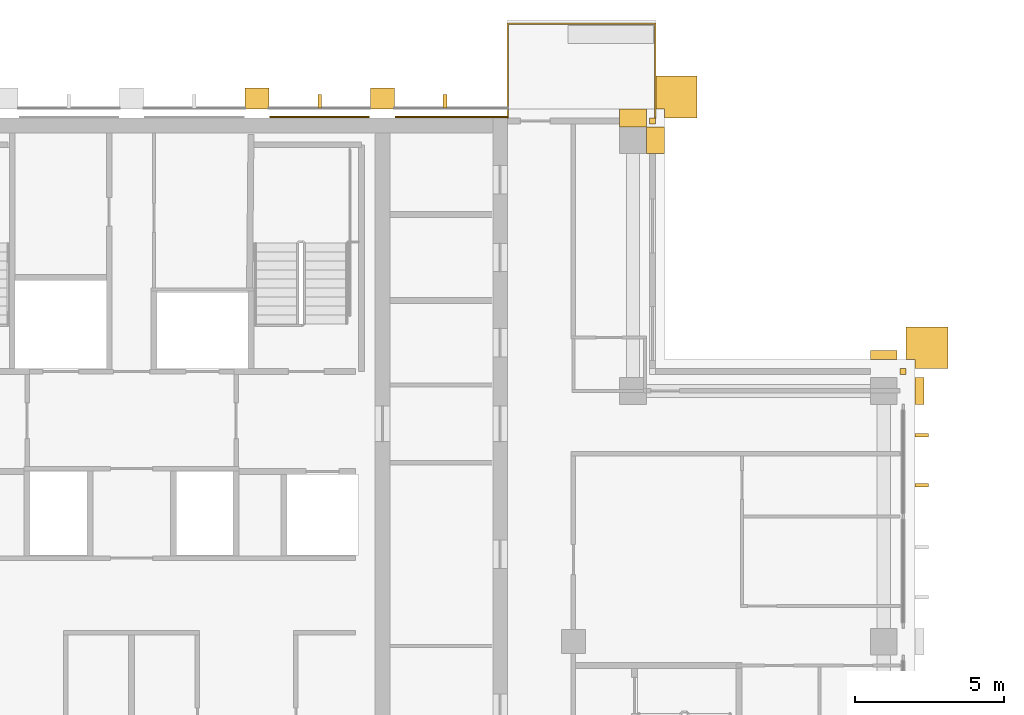
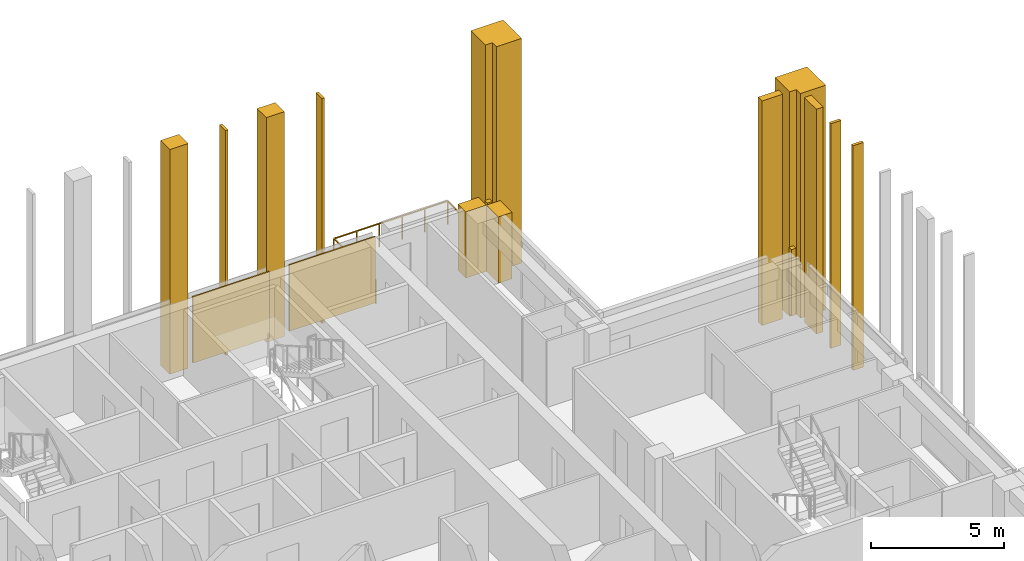
# One storey, part 20 of 20: 16 coverings, 1 railing.
"""IFC4 building model written with IfcOpenShell, lengths in metres."""

from ifc_helpers import new_model, si_unit, direction, frame, origin, origin_2d, place, context, subcontext, project, spatial, polyline, rectangle, outline, extrude, material, layer, layer_set, type_object, element, save


model = new_model("IFC4")

# Units and contexts
model_context = context("Model", 3, precision=1e-05, world=origin(), true_north=direction((0.0, 1.0)))
body_context = subcontext(model_context, "Body", "Model", "MODEL_VIEW")
ifc_project = project(units=[si_unit("LENGTHUNIT", "METRE"), si_unit("AREAUNIT", "SQUARE_METRE"), si_unit("VOLUMEUNIT", "CUBIC_METRE"), si_unit("PLANEANGLEUNIT", "RADIAN"), si_unit("MASSUNIT", "GRAM", prefix="KILO")], contexts=[model_context])

# Site, building, storey
site_placement = place(None, origin())
site = spatial("IfcSite", under=ifc_project, at=site_placement, CompositionType="ELEMENT")
building_placement = place(site_placement, origin())
building = spatial("IfcBuilding", under=site, at=building_placement, Name="Vermilion Ogive Tower", CompositionType="ELEMENT")
storey_placement = place(building_placement, frame((0.0, 0.0, 223.449951171875)))
storey = spatial("IfcBuildingStorey", under=building, at=storey_placement, Name="L58", CompositionType="ELEMENT", Elevation=223.449951171875)

# Railing
ifc_material_1 = material(Name="Stainless steel and glass", Category="steel")
railing_type = type_object("IfcRailingType", Name="Balcony guard", PredefinedType="GUARDRAIL", material=ifc_material_1)
railing_placement = place(storey_placement, frame((17.550048828125, 21.75, -0.0400390625)))
element("IfcRailing", 1, at=railing_placement, inside=storey, type_object=railing_type, Name="Guard N101", PredefinedType="GUARDRAIL", context=body_context, shape_type="SweptSolid", body=[
    extrude(rectangle(XDim=0.048095703125, YDim=0.048095703125, at=origin_2d()), frame((0.0, 0.0, 1.076171875), z_axis=(0.0, 1.0, 0.0), x_axis=(-1.0, 0.0, 0.0)), (0.0, 0.0, 1.0), 3.159912109375),
    extrude(rectangle(XDim=0.048095703125, YDim=0.048095703125, at=origin_2d()), frame((0.0, 3.159912109375, 1.076171875), z_axis=(-1.0, 0.0, 0.0), x_axis=(0.0, -1.0, 0.0)), (0.0, 0.0, 1.0), 4.949951171875),
    extrude(rectangle(XDim=0.048095703125, YDim=0.048095703125, at=origin_2d()), frame((-4.949951171875, 3.159912109375, 1.076171875), z_axis=(0.0, -1.0, 0.0), x_axis=(1.0, 0.0, 0.0)), (0.0, 0.0, 1.0), 3.159912109375),
    extrude(rectangle(XDim=0.0419921875, YDim=0.0419921875, at=origin_2d()), origin(), (0.0, 0.0, 1.0), 1.052001953125),
    extrude(rectangle(XDim=0.0419921875, YDim=0.0419921875, at=origin_2d()), frame((0.0, 1.05322265625, 0.0)), (0.0, 0.0, 1.0), 1.052001953125),
    extrude(rectangle(XDim=0.0419921875, YDim=0.0419921875, at=origin_2d()), frame((0.0, 2.106689453125, 0.0)), (0.0, 0.0, 1.0), 1.052001953125),
    extrude(rectangle(XDim=0.0419921875, YDim=0.0419921875, at=origin_2d()), frame((0.0, 3.159912109375, 0.0)), (0.0, 0.0, 1.0), 1.052001953125),
    extrude(rectangle(XDim=0.0419921875, YDim=0.0419921875, at=origin_2d()), frame((-0.989990234375, 3.159912109375, 0.0)), (0.0, 0.0, 1.0), 1.052001953125),
    extrude(rectangle(XDim=0.0419921875, YDim=0.0419921875, at=origin_2d()), frame((-1.97998046875, 3.159912109375, 0.0)), (0.0, 0.0, 1.0), 1.052001953125),
    extrude(rectangle(XDim=0.0419921875, YDim=0.0419921875, at=origin_2d()), frame((-2.969970703125, 3.159912109375, 0.0)), (0.0, 0.0, 1.0), 1.052001953125),
    extrude(rectangle(XDim=0.0419921875, YDim=0.0419921875, at=origin_2d()), frame((-3.9599609375, 3.159912109375, 0.0)), (0.0, 0.0, 1.0), 1.052001953125),
    extrude(rectangle(XDim=0.0419921875, YDim=0.0419921875, at=origin_2d()), frame((-4.949951171875, 3.159912109375, 0.0)), (0.0, 0.0, 1.0), 1.052001953125),
    extrude(rectangle(XDim=0.0419921875, YDim=0.0419921875, at=origin_2d()), frame((-4.949951171875, 2.106689453125, 0.0)), (0.0, 0.0, 1.0), 1.052001953125),
    extrude(rectangle(XDim=0.0419921875, YDim=0.0419921875, at=origin_2d()), frame((-4.949951171875, 1.05322265625, 0.0)), (0.0, 0.0, 1.0), 1.052001953125),
    extrude(rectangle(XDim=0.0419921875, YDim=0.0419921875, at=origin_2d()), frame((-4.949951171875, 0.0, 0.0)), (0.0, 0.0, 1.0), 1.052001953125),
])

# Coverings
ifc_material_2 = material(Name="Glazed ceramic screen")
ifc_layer = layer(ifc_material_2, 0.14990234375)
ifc_layer_set = layer_set([ifc_layer], Name="Ceramic solar screen fin")
covering_type_1 = type_object("IfcCoveringType", Name="Ceramic solar screen fin", PredefinedType="CLADDING", material=ifc_layer_set)
covering_1_placement = place(storey_placement, frame((0.0, 0.0, -0.39990234375)))
element("IfcCovering", 2, at=covering_1_placement, inside=storey, type_object=covering_type_1, Name="Solar screen blade E021", PredefinedType="CLADDING", context=body_context, shape_type="SweptSolid", body=[
    extrude(outline(polyline([(26.699951171875, 9.37744140625), (26.699951171875, 9.49755859375), (26.25, 9.49755859375), (26.25, 9.37744140625), (26.699951171875, 9.37744140625)])), origin(), (0.0, 0.0, 1.0), 10.349853515625),
])
covering_2_placement = place(storey_placement, frame((0.0, 0.0, -0.39990234375)))
element("IfcCovering", 3, at=covering_2_placement, inside=storey, type_object=covering_type_1, Name="Solar screen blade E022", PredefinedType="CLADDING", context=body_context, shape_type="SweptSolid", body=[
    extrude(outline(polyline([(26.699951171875, 11.052490234375), (26.699951171875, 11.172607421875), (26.25, 11.172607421875), (26.25, 11.052490234375), (26.699951171875, 11.052490234375)])), origin(), (0.0, 0.0, 1.0), 10.349853515625),
])
covering_3_placement = place(storey_placement, frame((0.0, 0.0, -0.39990234375)))
element("IfcCovering", 4, at=covering_3_placement, inside=storey, type_object=covering_type_1, Name="Solar screen blade N5", PredefinedType="CLADDING", context=body_context, shape_type="SweptSolid", body=[
    extrude(outline(polyline([(6.239990234375, 22.08203125), (6.360107421875, 22.08203125), (6.360107421875, 22.531982421875), (6.239990234375, 22.531982421875), (6.239990234375, 22.08203125)])), origin(), (0.0, 0.0, 1.0), 10.349853515625),
])
covering_4_placement = place(storey_placement, frame((0.0, 0.0, -0.39990234375)))
element("IfcCovering", 5, at=covering_4_placement, inside=storey, type_object=covering_type_1, Name="Solar screen blade N6", PredefinedType="CLADDING", context=body_context, shape_type="SweptSolid", body=[
    extrude(outline(polyline([(10.43994140625, 22.08203125), (10.56005859375, 22.08203125), (10.56005859375, 22.531982421875), (10.43994140625, 22.531982421875), (10.43994140625, 22.08203125)])), origin(), (0.0, 0.0, 1.0), 10.349853515625),
])
ifc_material_3 = material(Name="Stone cladding", Category="masonry")
covering_type_2 = type_object("IfcCoveringType", Name="Stone buttress pier", PredefinedType="CLADDING", material=ifc_material_3)
covering_5_placement = place(storey_placement, frame((0.0, 0.0, -0.39990234375)))
element("IfcCovering", 6, at=covering_5_placement, inside=storey, type_object=covering_type_2, Name="Stone buttress pier N4", PredefinedType="CLADDING", context=body_context, shape_type="SweptSolid", body=[
    extrude(outline(polyline([(4.60009765625, 22.75), (4.60009765625, 22.050048828125), (3.800048828125, 22.050048828125), (3.800048828125, 22.75), (4.60009765625, 22.75)])), origin(), (0.0, 0.0, 1.0), 10.349853515625),
])
covering_6_placement = place(storey_placement, frame((0.0, 0.0, -0.39990234375)))
element("IfcCovering", 7, at=covering_6_placement, inside=storey, type_object=covering_type_2, Name="Stone buttress pier N5", PredefinedType="CLADDING", context=body_context, shape_type="SweptSolid", body=[
    extrude(outline(polyline([(8.800048828125, 22.75), (8.800048828125, 22.050048828125), (8.0, 22.050048828125), (8.0, 22.75), (8.800048828125, 22.75)])), origin(), (0.0, 0.0, 1.0), 10.349853515625),
])
ifc_material_4 = material(Name="Stone cladding", Category="masonry")
covering_type_3 = type_object("IfcCoveringType", Name="Stone cladding panel", PredefinedType="CLADDING", material=ifc_material_4)
covering_7_placement = place(storey_placement, origin())
element("IfcCovering", 8, at=covering_7_placement, inside=storey, type_object=covering_type_3, Name="Stone cladding panel N5", PredefinedType="CLADDING", context=body_context, shape_type="SweptSolid", body=[
    extrude(outline(polyline([(4.6298828125, 21.75), (7.969970703125, 21.75), (7.969970703125, 21.81005859375), (4.6298828125, 21.81005859375), (4.6298828125, 21.75)])), origin(), (0.0, 0.0, 1.0), 3.050048828125),
])
covering_8_placement = place(storey_placement, origin())
element("IfcCovering", 9, at=covering_8_placement, inside=storey, type_object=covering_type_3, Name="Stone cladding panel N6", PredefinedType="CLADDING", context=body_context, shape_type="SweptSolid", body=[
    extrude(outline(polyline([(8.830078125, 21.75), (12.590087890625, 21.75), (12.590087890625, 21.81005859375), (8.830078125, 21.81005859375), (8.830078125, 21.75)])), origin(), (0.0, 0.0, 1.0), 3.050048828125),
])
ifc_material_5 = material(Name="Stone cladding", Category="masonry")
covering_type_4 = type_object("IfcCoveringType", Name="Stone corner buttress", PredefinedType="CLADDING", material=ifc_material_5)
covering_9_placement = place(storey_placement, frame((0.0, 0.0, -0.39990234375)))
element("IfcCovering", 10, at=covering_9_placement, inside=storey, type_object=covering_type_4, Name="Stone corner buttress X31", PredefinedType="CLADDING", context=body_context, shape_type="SweptSolid", body=[
    extrude(outline(polyline([(26.25, 13.35009765625), (26.25, 13.64990234375), (25.949951171875, 13.64990234375), (25.949951171875, 14.75), (27.35009765625, 14.75), (27.35009765625, 13.35009765625), (26.25, 13.35009765625)])), origin(), (0.0, 0.0, 1.0), 10.349853515625),
])
covering_10_placement = place(storey_placement, frame((0.0, 0.0, -0.39990234375)))
element("IfcCovering", 11, at=covering_10_placement, inside=storey, type_object=covering_type_4, Name="Stone corner buttress N11", PredefinedType="CLADDING", context=body_context, shape_type="SweptSolid", body=[
    extrude(outline(polyline([(17.85009765625, 22.050048828125), (17.550048828125, 22.050048828125), (17.550048828125, 23.14990234375), (18.949951171875, 23.14990234375), (18.949951171875, 21.75), (17.85009765625, 21.75), (17.85009765625, 22.050048828125)])), origin(), (0.0, 0.0, 1.0), 10.349853515625),
])
ifc_material_6 = material(Name="Stone cladding", Category="masonry")
covering_type_5 = type_object("IfcCoveringType", Name="Stone pier", PredefinedType="CLADDING", material=ifc_material_6)
covering_11_placement = place(storey_placement, origin())
element("IfcCovering", 12, at=covering_11_placement, inside=storey, type_object=covering_type_5, Name="Stone corner pier EE1", PredefinedType="CLADDING", context=body_context, shape_type="SweptSolid", body=[
    extrude(outline(polyline([(25.75, 13.14990234375), (25.75, 13.35009765625), (25.949951171875, 13.35009765625), (25.949951171875, 13.14990234375), (25.75, 13.14990234375)])), origin(), (0.0, 0.0, 1.0), 3.050048828125),
])
covering_12_placement = place(storey_placement, origin())
element("IfcCovering", 13, at=covering_12_placement, inside=storey, type_object=covering_type_5, Name="Stone corner pier X4E1", PredefinedType="CLADDING", context=body_context, shape_type="SweptSolid", body=[
    extrude(outline(polyline([(17.35009765625, 21.550048828125), (17.35009765625, 21.75), (17.550048828125, 21.75), (17.550048828125, 21.550048828125), (17.35009765625, 21.550048828125)])), origin(), (0.0, 0.0, 1.0), 3.050048828125),
])
covering_13_placement = place(storey_placement, frame((0.0, 0.0, -0.39990234375)))
element("IfcCovering", 14, at=covering_13_placement, inside=storey, type_object=covering_type_5, Name="Stone pier P+0252+126E", PredefinedType="CLADDING", context=body_context, shape_type="SweptSolid", body=[
    extrude(outline(polyline([(26.550048828125, 13.050048828125), (26.550048828125, 12.14990234375), (26.25, 12.14990234375), (26.25, 13.050048828125), (26.550048828125, 13.050048828125)])), origin(), (0.0, 0.0, 1.0), 10.349853515625),
])
covering_14_placement = place(storey_placement, frame((0.0, 0.0, -0.39990234375)))
element("IfcCovering", 15, at=covering_14_placement, inside=storey, type_object=covering_type_5, Name="Stone pier P+0252+126X3", PredefinedType="CLADDING", context=body_context, shape_type="SweptSolid", body=[
    extrude(outline(polyline([(25.64990234375, 13.949951171875), (25.64990234375, 13.64990234375), (24.75, 13.64990234375), (24.75, 13.949951171875), (25.64990234375, 13.949951171875)])), origin(), (0.0, 0.0, 1.0), 10.349853515625),
])
covering_15_placement = place(storey_placement, origin())
element("IfcCovering", 16, at=covering_15_placement, inside=storey, type_object=covering_type_5, Name="Stone pier P+0168+210X4", PredefinedType="CLADDING", context=body_context, shape_type="SweptSolid", body=[
    extrude(outline(polyline([(17.85009765625, 21.449951171875), (17.85009765625, 20.550048828125), (17.25, 20.550048828125), (17.25, 21.449951171875), (17.85009765625, 21.449951171875)])), origin(), (0.0, 0.0, 1.0), 3.050048828125),
])
covering_16_placement = place(storey_placement, origin())
element("IfcCovering", 17, at=covering_16_placement, inside=storey, type_object=covering_type_5, Name="Stone pier P+0168+210N1", PredefinedType="CLADDING", context=body_context, shape_type="SweptSolid", body=[
    extrude(outline(polyline([(17.25, 22.050048828125), (17.25, 21.449951171875), (16.35009765625, 21.449951171875), (16.35009765625, 22.050048828125), (17.25, 22.050048828125)])), origin(), (0.0, 0.0, 1.0), 3.050048828125),
])

save(model, "model.ifc")
